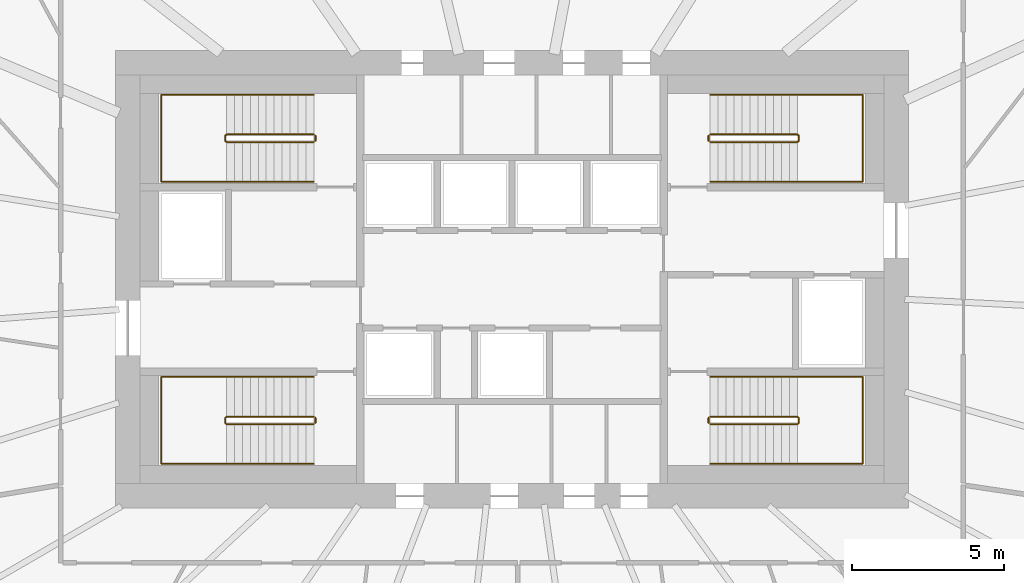
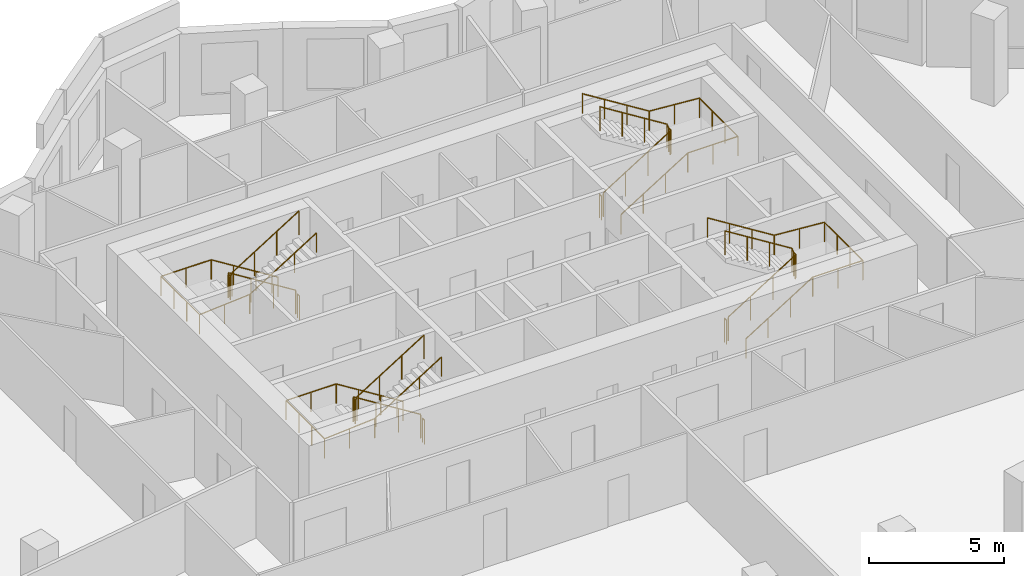
# One storey, part 9 of 9: 12 railings.
"""IFC4 building model written with IfcOpenShell, lengths in metres."""

import ifcopenshell
import ifcopenshell.guid

model = None  # the IFC model being written
_history = None  # IfcOwnerHistory: only IFC2X3 demands one
_inside = {}  # id of a spatial element -> (the spatial element, [elements in it])
_under = {}  # id of a project, library or spatial element -> (it, [spatial elements below it])
_declared = {}  # id of a project -> (the project, [libraries it declares])
_typed = {}  # id of a type object -> (the type object, [elements of that type])
_made_of = {}  # id of a material, layer set ... -> (it, [elements and type objects made of it])


def new_model(schema):
    """Start an empty IFC model of exactly this schema.

    Asked for "IFC4X3", IfcOpenShell would pick the latest addendum, in which some entities
    have other attributes; the version numbers below select the first issue.
    IFC2X3 requires an IfcOwnerHistory on every rooted entity: one is made here for all.
    """
    global model, _history
    if schema == "IFC4X3":
        model = ifcopenshell.file(schema_version=(4, 3, 0, 0))
    else:
        model = ifcopenshell.file(schema=schema)
    _inside.clear()
    _under.clear()
    _declared.clear()
    _typed.clear()
    _made_of.clear()
    _history = None
    if model.schema == "IFC2X3":
        org = make("IfcOrganization", Name="unknown")
        user = make(
            "IfcPersonAndOrganization",
            ThePerson=make("IfcPerson", FamilyName="unknown"),
            TheOrganization=org,
        )
        app = make(
            "IfcApplication",
            ApplicationDeveloper=org,
            Version="unknown",
            ApplicationFullName="unknown",
            ApplicationIdentifier="unknown",
        )
        _history = make(
            "IfcOwnerHistory",
            OwningUser=user,
            OwningApplication=app,
            ChangeAction="ADDED",
            CreationDate=0,
        )
    return model


def make(cls, **values):
    """One entity of the class cls with the attributes given. An attribute that is None is left unset."""
    return model.create_entity(
        cls, **{name: value for name, value in values.items() if value is not None}
    )


def rooted(cls, **values):
    """An entity with a GlobalId (a new one), such as an element, a storey or a relation."""
    return make(cls, GlobalId=ifcopenshell.guid.new(), OwnerHistory=_history, **values)


def si_unit(unit_type, name, prefix=None):
    """IfcSIUnit, for example si_unit("LENGTHUNIT", "METRE", prefix="MILLI")."""
    return make("IfcSIUnit", UnitType=unit_type, Prefix=prefix, Name=name)


def assignment(units):
    """IfcUnitAssignment: the units of a project."""
    return None if units is None else make("IfcUnitAssignment", Units=units)


def point(xyz):
    """IfcCartesianPoint."""
    return None if xyz is None else make("IfcCartesianPoint", Coordinates=xyz)


def direction(xyz):
    """IfcDirection."""
    return None if xyz is None else make("IfcDirection", DirectionRatios=xyz)


def frame(location, z_axis=None, x_axis=None):
    """IfcAxis2Placement3D, a coordinate frame: its origin and axes. An axis left out is left unset."""
    return make(
        "IfcAxis2Placement3D",
        Location=point(location),
        Axis=direction(z_axis),
        RefDirection=direction(x_axis),
    )


def frame_2d(location, x_axis=None):
    """IfcAxis2Placement2D, a coordinate frame in the plane: its origin and x axis."""
    return make(
        "IfcAxis2Placement2D", Location=point(location), RefDirection=direction(x_axis)
    )


def origin():
    """The frame at (0, 0, 0) with its axes left unset."""
    return frame((0.0, 0.0, 0.0))


def origin_2d():
    """The frame at (0, 0) in the plane with its x axis left unset."""
    return frame_2d((0.0, 0.0))


def place(relative_to, where):
    """IfcLocalPlacement: puts the frame where relative to a parent placement (None: the world)."""
    return make(
        "IfcLocalPlacement", PlacementRelTo=relative_to, RelativePlacement=where
    )


def context(
    kind, dimensions, precision=None, world=None, true_north=None, identifier=None
):
    """IfcGeometricRepresentationContext, for example the 3D "Model" context."""
    return make(
        "IfcGeometricRepresentationContext",
        ContextIdentifier=identifier,
        ContextType=kind,
        CoordinateSpaceDimension=dimensions,
        Precision=precision,
        WorldCoordinateSystem=world,
        TrueNorth=true_north,
    )


def subcontext(parent, identifier, kind, view, scale=None):
    """IfcGeometricRepresentationSubContext, for example "Body" below "Model"."""
    return make(
        "IfcGeometricRepresentationSubContext",
        ContextIdentifier=identifier,
        ContextType=kind,
        ParentContext=parent,
        TargetScale=scale,
        TargetView=view,
    )


def project(units=None, contexts=None):
    """IfcProject with its units and contexts."""
    return rooted(
        "IfcProject",
        Name="project",
        RepresentationContexts=contexts,
        UnitsInContext=assignment(units),
    )


def spatial(cls, under=None, at=None, **own):
    """A site, building, storey or space (cls), placed at a placement, below another one or the project."""
    s = rooted(cls, ObjectPlacement=at, **own)
    if under is not None:
        _under.setdefault(under.id(), (under, []))[1].append(s)
    return s


def profile(cls, at=None, kind="AREA", **sizes):
    """A parametric profile (cls). Its sizes go by their IFC names, for example OverallWidth=200.0."""
    return make(cls, ProfileType=kind, Position=at, **sizes)


def circle(**sizes):
    """IfcCircleProfileDef."""
    return profile("IfcCircleProfileDef", **sizes)


def extrude(swept, where, along, depth):
    """IfcExtrudedAreaSolid: the profile swept, set in the frame where, extruded along a direction by depth."""
    return make(
        "IfcExtrudedAreaSolid",
        SweptArea=swept,
        Position=where,
        ExtrudedDirection=direction(along),
        Depth=depth,
    )


def shape(context_of_items, identifier, shape_type, items):
    """IfcShapeRepresentation: the items that make up one representation, for example the "Body"."""
    return make(
        "IfcShapeRepresentation",
        ContextOfItems=context_of_items,
        RepresentationIdentifier=identifier,
        RepresentationType=shape_type,
        Items=items,
    )


def material(Name=None, Category=None):
    """IfcMaterial."""
    return make("IfcMaterial", Name=Name, Category=Category)


def made_of(thing, what):
    """Note that an element or type object is made of a material, layer set ...; save() writes the relation."""
    if what is not None:
        _made_of.setdefault(what.id(), (what, []))[1].append(thing)
    return thing


def type_object(cls, material=None, **own):
    """A type object (cls), such as IfcWallType, which elements share."""
    return made_of(rooted(cls, **own), material)


def element(
    cls,
    number,
    at=None,
    inside=None,
    cuts=None,
    type_object=None,
    material=None,
    context=None,
    identifier="Body",
    shape_type=None,
    held_by="IfcProductDefinitionShape",
    body=None,
    shapes=None,
    **own,
):
    """One element of the class cls, such as IfcWall. Its Tag is "e" and its number.

    at: its placement. inside: the storey or other place that contains it. cuts: it is an
    opening in that element (IfcRelVoidsElement). A single representation is given by context,
    identifier, shape_type and body (its items); several are given by shapes. held_by: the class
    of the entity that holds the representations. save() writes the other relations.
    """
    e = rooted(cls, Tag="e%d" % number, ObjectPlacement=at, **own)
    if body is not None:
        shapes = [shape(context, identifier, shape_type, body)]
    if shapes is not None:
        e.Representation = make(held_by, Representations=shapes)
    if inside is not None:
        _inside.setdefault(inside.id(), (inside, []))[1].append(e)
    if cuts is not None:
        rooted(
            "IfcRelVoidsElement", RelatingBuildingElement=cuts, RelatedOpeningElement=e
        )
    if type_object is not None:
        _typed.setdefault(type_object.id(), (type_object, []))[1].append(e)
    return made_of(e, material)


def aggregate(whole, parts):
    """IfcRelAggregates: a whole, such as a stair, and the parts it consists of."""
    return rooted("IfcRelAggregates", RelatingObject=whole, RelatedObjects=parts)


def save(model, path):
    """Write the relations noted so far, then the file.

    IfcRelAggregates (storeys below a building ...), IfcRelContainedInSpatialStructure (elements
    in a storey), IfcRelDefinesByType, IfcRelAssociatesMaterial and IfcRelDeclares: one each for
    every whole, place, type object, material and project.
    """
    for whole, parts in _under.values():
        aggregate(whole, parts)
    for where, things in _inside.values():
        rooted(
            "IfcRelContainedInSpatialStructure",
            RelatedElements=things,
            RelatingStructure=where,
        )
    for kind, things in _typed.values():
        rooted("IfcRelDefinesByType", RelatedObjects=things, RelatingType=kind)
    for what, things in _made_of.values():
        rooted("IfcRelAssociatesMaterial", RelatedObjects=things, RelatingMaterial=what)
    for by, libraries in _declared.values():
        rooted("IfcRelDeclares", RelatingContext=by, RelatedDefinitions=libraries)
    model.write(path)


model = new_model("IFC4")

# Units and contexts
model_context = context("Model", 3, precision=1e-05, world=origin(), true_north=direction((0.0, 1.0)))
body_context = subcontext(model_context, "Body", "Model", "MODEL_VIEW")
ifc_project = project(units=[si_unit("LENGTHUNIT", "METRE"), si_unit("AREAUNIT", "SQUARE_METRE"), si_unit("VOLUMEUNIT", "CUBIC_METRE"), si_unit("PLANEANGLEUNIT", "RADIAN"), si_unit("MASSUNIT", "GRAM", prefix="KILO")], contexts=[model_context])

# Site, building, storey
site_placement = place(None, origin())
site = spatial("IfcSite", under=ifc_project, at=site_placement, CompositionType="ELEMENT")
building_placement = place(site_placement, origin())
building = spatial("IfcBuilding", under=site, at=building_placement, Name="Rubra Terraces Tower", CompositionType="ELEMENT")
storey_placement = place(building_placement, frame((0.0, 0.0, 225.300048828125)))
storey = spatial("IfcBuildingStorey", under=building, at=storey_placement, Name="L55", CompositionType="ELEMENT", Elevation=225.300048828125)

# Railings
ifc_material = material(Name="Stainless steel", Category="steel")
railing_type_1 = type_object("IfcRailingType", Name="Core stair guard 1100", PredefinedType="GUARDRAIL", material=ifc_material)
railing_1_placement = place(storey_placement, frame((-6.5, 0.0, 0.162353515625)))
element("IfcRailing", 1, at=railing_1_placement, inside=storey, type_object=railing_type_1, Name="L55 stair S1 guard 1", PredefinedType="GUARDRAIL", context=body_context, shape_type="SweptSolid", body=[
    extrude(circle(Radius=0.02392578125, at=origin_2d()), frame((0.0, 0.0, 1.076171875), z_axis=(-0.847994237388, 0.0, 0.530005446535), x_axis=(0.0, -1.0, 0.0)), (0.0, 0.0, 1.0), 3.372802734375),
    extrude(circle(Radius=0.02392578125, at=origin_2d()), frame((-2.860107421875, 0.0, 2.86376953125), z_axis=(-0.705375805398, -0.708833529934, 0.0), x_axis=(0.708833529934, -0.705375805398, 0.0)), (0.0, 0.0, 1.0), 0.070556640625),
    extrude(circle(Radius=0.02392578125, at=origin_2d()), frame((-2.909912109375, -0.050048828125, 2.86376953125), z_axis=(0.0, -1.0, 0.0), x_axis=(1.0, 0.0, 0.0)), (0.0, 0.0, 1.0), 0.14990234375),
    extrude(circle(Radius=0.02392578125, at=origin_2d()), frame((-2.909912109375, -0.199951171875, 2.86376953125), z_axis=(0.280959487676, -0.282336740067, 0.917250092119), x_axis=(0.708833529934, 0.705375805398, 0.0)), (0.0, 0.0, 1.0), 0.17724609375),
    extrude(circle(Radius=0.02392578125, at=origin_2d()), frame((-2.860107421875, -0.25, 3.0263671875), z_axis=(0.848026770018, 0.0, 0.529953391661), x_axis=(0.0, 1.0, 0.0)), (0.0, 0.0, 1.0), 3.37255859375),
    extrude(circle(Radius=0.02099609375, at=origin_2d()), origin(), (0.0, 0.0, 1.0), 1.052001953125),
    extrude(circle(Radius=0.02099609375, at=origin_2d()), frame((-0.953369140625, 0.0, 0.595947265625)), (0.0, 0.0, 1.0), 1.052001953125),
    extrude(circle(Radius=0.02099609375, at=origin_2d()), frame((-1.90673828125, 0.0, 1.191650390625)), (0.0, 0.0, 1.0), 1.052001953125),
    extrude(circle(Radius=0.02099609375, at=origin_2d()), frame((-2.860107421875, 0.0, 1.78759765625)), (0.0, 0.0, 1.0), 1.052001953125),
    extrude(circle(Radius=0.02099609375, at=origin_2d()), frame((-2.909912109375, -0.050048828125, 1.78759765625)), (0.0, 0.0, 1.0), 1.052001953125),
    extrude(circle(Radius=0.02099609375, at=origin_2d()), frame((-2.909912109375, -0.199951171875, 1.78759765625)), (0.0, 0.0, 1.0), 1.052001953125),
    extrude(circle(Radius=0.02099609375, at=origin_2d()), frame((-2.860107421875, -0.25, 1.9501953125)), (0.0, 0.0, 1.0), 1.052001953125),
    extrude(circle(Radius=0.02099609375, at=origin_2d()), frame((-1.90673828125, -0.25, 2.5458984375)), (0.0, 0.0, 1.0), 1.052001953125),
    extrude(circle(Radius=0.02099609375, at=origin_2d()), frame((-0.953369140625, -0.25, 3.141845703125)), (0.0, 0.0, 1.0), 1.052001953125),
    extrude(circle(Radius=0.02099609375, at=origin_2d()), frame((0.0, -0.25, 3.737548828125)), (0.0, 0.0, 1.0), 1.052001953125),
])
railing_2_placement = place(storey_placement, frame((-6.449951171875, -0.050048828125, 0.0)))
element("IfcRailing", 2, at=railing_2_placement, inside=storey, type_object=railing_type_1, Name="L55 stair S1 guard 2", PredefinedType="GUARDRAIL", context=body_context, shape_type="SweptSolid", body=[
    extrude(circle(Radius=0.02392578125, at=origin_2d()), frame((0.0, 0.0, 1.076171875), z_axis=(0.0, -1.0, 0.0), x_axis=(1.0, 0.0, 0.0)), (0.0, 0.0, 1.0), 0.14990234375),
    extrude(circle(Radius=0.02099609375, at=origin_2d()), origin(), (0.0, 0.0, 1.0), 1.052001953125),
    extrude(circle(Radius=0.02099609375, at=origin_2d()), frame((0.0, -0.14990234375, 0.0)), (0.0, 0.0, 1.0), 1.052001953125),
])
railing_3_placement = place(storey_placement, frame((-6.5, 9.25, 0.162353515625)))
element("IfcRailing", 3, at=railing_3_placement, inside=storey, type_object=railing_type_1, Name="L55 stair S2 guard 1", PredefinedType="GUARDRAIL", context=body_context, shape_type="SweptSolid", body=[
    extrude(circle(Radius=0.02392578125, at=origin_2d()), frame((0.0, 0.0, 1.076171875), z_axis=(-0.847994237388, 0.0, 0.530005446535), x_axis=(0.0, -1.0, 0.0)), (0.0, 0.0, 1.0), 3.372802734375),
    extrude(circle(Radius=0.02392578125, at=origin_2d()), frame((-2.860107421875, 0.0, 2.86376953125), z_axis=(-0.705375805398, -0.708833529934, 0.0), x_axis=(0.708833529934, -0.705375805398, 0.0)), (0.0, 0.0, 1.0), 0.070556640625),
    extrude(circle(Radius=0.02392578125, at=origin_2d()), frame((-2.909912109375, -0.050048828125, 2.86376953125), z_axis=(0.0, -1.0, 0.0), x_axis=(1.0, 0.0, 0.0)), (0.0, 0.0, 1.0), 0.14990234375),
    extrude(circle(Radius=0.02392578125, at=origin_2d()), frame((-2.909912109375, -0.199951171875, 2.86376953125), z_axis=(0.280959487676, -0.282336740067, 0.917250092119), x_axis=(0.708833529934, 0.705375805398, 0.0)), (0.0, 0.0, 1.0), 0.17724609375),
    extrude(circle(Radius=0.02392578125, at=origin_2d()), frame((-2.860107421875, -0.25, 3.0263671875), z_axis=(0.848026770018, 0.0, 0.529953391661), x_axis=(0.0, 1.0, 0.0)), (0.0, 0.0, 1.0), 3.37255859375),
    extrude(circle(Radius=0.02099609375, at=origin_2d()), origin(), (0.0, 0.0, 1.0), 1.052001953125),
    extrude(circle(Radius=0.02099609375, at=origin_2d()), frame((-0.953369140625, 0.0, 0.595947265625)), (0.0, 0.0, 1.0), 1.052001953125),
    extrude(circle(Radius=0.02099609375, at=origin_2d()), frame((-1.90673828125, 0.0, 1.191650390625)), (0.0, 0.0, 1.0), 1.052001953125),
    extrude(circle(Radius=0.02099609375, at=origin_2d()), frame((-2.860107421875, 0.0, 1.78759765625)), (0.0, 0.0, 1.0), 1.052001953125),
    extrude(circle(Radius=0.02099609375, at=origin_2d()), frame((-2.909912109375, -0.050048828125, 1.78759765625)), (0.0, 0.0, 1.0), 1.052001953125),
    extrude(circle(Radius=0.02099609375, at=origin_2d()), frame((-2.909912109375, -0.199951171875, 1.78759765625)), (0.0, 0.0, 1.0), 1.052001953125),
    extrude(circle(Radius=0.02099609375, at=origin_2d()), frame((-2.860107421875, -0.25, 1.9501953125)), (0.0, 0.0, 1.0), 1.052001953125),
    extrude(circle(Radius=0.02099609375, at=origin_2d()), frame((-1.90673828125, -0.25, 2.5458984375)), (0.0, 0.0, 1.0), 1.052001953125),
    extrude(circle(Radius=0.02099609375, at=origin_2d()), frame((-0.953369140625, -0.25, 3.141845703125)), (0.0, 0.0, 1.0), 1.052001953125),
    extrude(circle(Radius=0.02099609375, at=origin_2d()), frame((0.0, -0.25, 3.737548828125)), (0.0, 0.0, 1.0), 1.052001953125),
])
railing_4_placement = place(storey_placement, frame((-6.449951171875, 9.199951171875, 0.0)))
element("IfcRailing", 4, at=railing_4_placement, inside=storey, type_object=railing_type_1, Name="L55 stair S2 guard 2", PredefinedType="GUARDRAIL", context=body_context, shape_type="SweptSolid", body=[
    extrude(circle(Radius=0.02392578125, at=origin_2d()), frame((0.0, 0.0, 1.076171875), z_axis=(0.0, -1.0, 0.0), x_axis=(1.0, 0.0, 0.0)), (0.0, 0.0, 1.0), 0.14990234375),
    extrude(circle(Radius=0.02099609375, at=origin_2d()), origin(), (0.0, 0.0, 1.0), 1.052001953125),
    extrude(circle(Radius=0.02099609375, at=origin_2d()), frame((0.0, -0.14990234375, 0.0)), (0.0, 0.0, 1.0), 1.052001953125),
])
railing_5_placement = place(storey_placement, frame((6.5, 9.0, 0.162353515625)))
element("IfcRailing", 5, at=railing_5_placement, inside=storey, type_object=railing_type_1, Name="L55 stair S3 guard 1", PredefinedType="GUARDRAIL", context=body_context, shape_type="SweptSolid", body=[
    extrude(circle(Radius=0.02392578125, at=origin_2d()), frame((0.0, 0.0, 1.076171875), z_axis=(0.847994237388, 0.0, 0.530005446535), x_axis=(0.0, 1.0, 0.0)), (0.0, 0.0, 1.0), 3.372802734375),
    extrude(circle(Radius=0.02392578125, at=origin_2d()), frame((2.860107421875, 0.0, 2.86376953125), z_axis=(0.705375805398, 0.708833529934, 0.0), x_axis=(-0.708833529934, 0.705375805398, 0.0)), (0.0, 0.0, 1.0), 0.070556640625),
    extrude(circle(Radius=0.02392578125, at=origin_2d()), frame((2.909912109375, 0.050048828125, 2.86376953125), z_axis=(0.0, 1.0, 0.0), x_axis=(-1.0, 0.0, 0.0)), (0.0, 0.0, 1.0), 0.14990234375),
    extrude(circle(Radius=0.02392578125, at=origin_2d()), frame((2.909912109375, 0.199951171875, 2.86376953125), z_axis=(-0.280959487676, 0.282336740067, 0.917250092119), x_axis=(-0.708833529934, -0.705375805398, 0.0)), (0.0, 0.0, 1.0), 0.17724609375),
    extrude(circle(Radius=0.02392578125, at=origin_2d()), frame((2.860107421875, 0.25, 3.0263671875), z_axis=(-0.848026770018, 0.0, 0.529953391661), x_axis=(0.0, -1.0, 0.0)), (0.0, 0.0, 1.0), 3.37255859375),
    extrude(circle(Radius=0.02099609375, at=origin_2d()), origin(), (0.0, 0.0, 1.0), 1.052001953125),
    extrude(circle(Radius=0.02099609375, at=origin_2d()), frame((0.953369140625, 0.0, 0.595947265625)), (0.0, 0.0, 1.0), 1.052001953125),
    extrude(circle(Radius=0.02099609375, at=origin_2d()), frame((1.90673828125, 0.0, 1.191650390625)), (0.0, 0.0, 1.0), 1.052001953125),
    extrude(circle(Radius=0.02099609375, at=origin_2d()), frame((2.860107421875, 0.0, 1.78759765625)), (0.0, 0.0, 1.0), 1.052001953125),
    extrude(circle(Radius=0.02099609375, at=origin_2d()), frame((2.909912109375, 0.050048828125, 1.78759765625)), (0.0, 0.0, 1.0), 1.052001953125),
    extrude(circle(Radius=0.02099609375, at=origin_2d()), frame((2.909912109375, 0.199951171875, 1.78759765625)), (0.0, 0.0, 1.0), 1.052001953125),
    extrude(circle(Radius=0.02099609375, at=origin_2d()), frame((2.860107421875, 0.25, 1.9501953125)), (0.0, 0.0, 1.0), 1.052001953125),
    extrude(circle(Radius=0.02099609375, at=origin_2d()), frame((1.90673828125, 0.25, 2.5458984375)), (0.0, 0.0, 1.0), 1.052001953125),
    extrude(circle(Radius=0.02099609375, at=origin_2d()), frame((0.953369140625, 0.25, 3.141845703125)), (0.0, 0.0, 1.0), 1.052001953125),
    extrude(circle(Radius=0.02099609375, at=origin_2d()), frame((0.0, 0.25, 3.737548828125)), (0.0, 0.0, 1.0), 1.052001953125),
])
railing_6_placement = place(storey_placement, frame((6.449951171875, 9.050048828125, 0.0)))
element("IfcRailing", 6, at=railing_6_placement, inside=storey, type_object=railing_type_1, Name="L55 stair S3 guard 2", PredefinedType="GUARDRAIL", context=body_context, shape_type="SweptSolid", body=[
    extrude(circle(Radius=0.02392578125, at=origin_2d()), frame((0.0, 0.0, 1.076171875), z_axis=(0.0, 1.0, 0.0), x_axis=(-1.0, 0.0, 0.0)), (0.0, 0.0, 1.0), 0.14990234375),
    extrude(circle(Radius=0.02099609375, at=origin_2d()), origin(), (0.0, 0.0, 1.0), 1.052001953125),
    extrude(circle(Radius=0.02099609375, at=origin_2d()), frame((0.0, 0.14990234375, 0.0)), (0.0, 0.0, 1.0), 1.052001953125),
])
railing_7_placement = place(storey_placement, frame((6.5, -0.25, 0.162353515625)))
element("IfcRailing", 7, at=railing_7_placement, inside=storey, type_object=railing_type_1, Name="L55 stair S4 guard 1", PredefinedType="GUARDRAIL", context=body_context, shape_type="SweptSolid", body=[
    extrude(circle(Radius=0.02392578125, at=origin_2d()), frame((0.0, 0.0, 1.076171875), z_axis=(0.847994237388, 0.0, 0.530005446535), x_axis=(0.0, 1.0, 0.0)), (0.0, 0.0, 1.0), 3.372802734375),
    extrude(circle(Radius=0.02392578125, at=origin_2d()), frame((2.860107421875, 0.0, 2.86376953125), z_axis=(0.705375805398, 0.708833529934, 0.0), x_axis=(-0.708833529934, 0.705375805398, 0.0)), (0.0, 0.0, 1.0), 0.070556640625),
    extrude(circle(Radius=0.02392578125, at=origin_2d()), frame((2.909912109375, 0.050048828125, 2.86376953125), z_axis=(0.0, 1.0, 0.0), x_axis=(-1.0, 0.0, 0.0)), (0.0, 0.0, 1.0), 0.14990234375),
    extrude(circle(Radius=0.02392578125, at=origin_2d()), frame((2.909912109375, 0.199951171875, 2.86376953125), z_axis=(-0.280959487676, 0.282336740067, 0.917250092119), x_axis=(-0.708833529934, -0.705375805398, 0.0)), (0.0, 0.0, 1.0), 0.17724609375),
    extrude(circle(Radius=0.02392578125, at=origin_2d()), frame((2.860107421875, 0.25, 3.0263671875), z_axis=(-0.848026770018, 0.0, 0.529953391661), x_axis=(0.0, -1.0, 0.0)), (0.0, 0.0, 1.0), 3.37255859375),
    extrude(circle(Radius=0.02099609375, at=origin_2d()), origin(), (0.0, 0.0, 1.0), 1.052001953125),
    extrude(circle(Radius=0.02099609375, at=origin_2d()), frame((0.953369140625, 0.0, 0.595947265625)), (0.0, 0.0, 1.0), 1.052001953125),
    extrude(circle(Radius=0.02099609375, at=origin_2d()), frame((1.90673828125, 0.0, 1.191650390625)), (0.0, 0.0, 1.0), 1.052001953125),
    extrude(circle(Radius=0.02099609375, at=origin_2d()), frame((2.860107421875, 0.0, 1.78759765625)), (0.0, 0.0, 1.0), 1.052001953125),
    extrude(circle(Radius=0.02099609375, at=origin_2d()), frame((2.909912109375, 0.050048828125, 1.78759765625)), (0.0, 0.0, 1.0), 1.052001953125),
    extrude(circle(Radius=0.02099609375, at=origin_2d()), frame((2.909912109375, 0.199951171875, 1.78759765625)), (0.0, 0.0, 1.0), 1.052001953125),
    extrude(circle(Radius=0.02099609375, at=origin_2d()), frame((2.860107421875, 0.25, 1.9501953125)), (0.0, 0.0, 1.0), 1.052001953125),
    extrude(circle(Radius=0.02099609375, at=origin_2d()), frame((1.90673828125, 0.25, 2.5458984375)), (0.0, 0.0, 1.0), 1.052001953125),
    extrude(circle(Radius=0.02099609375, at=origin_2d()), frame((0.953369140625, 0.25, 3.141845703125)), (0.0, 0.0, 1.0), 1.052001953125),
    extrude(circle(Radius=0.02099609375, at=origin_2d()), frame((0.0, 0.25, 3.737548828125)), (0.0, 0.0, 1.0), 1.052001953125),
])
railing_8_placement = place(storey_placement, frame((6.449951171875, -0.199951171875, 0.0)))
element("IfcRailing", 8, at=railing_8_placement, inside=storey, type_object=railing_type_1, Name="L55 stair S4 guard 2", PredefinedType="GUARDRAIL", context=body_context, shape_type="SweptSolid", body=[
    extrude(circle(Radius=0.02392578125, at=origin_2d()), frame((0.0, 0.0, 1.076171875), z_axis=(0.0, 1.0, 0.0), x_axis=(-1.0, 0.0, 0.0)), (0.0, 0.0, 1.0), 0.14990234375),
    extrude(circle(Radius=0.02099609375, at=origin_2d()), origin(), (0.0, 0.0, 1.0), 1.052001953125),
    extrude(circle(Radius=0.02099609375, at=origin_2d()), frame((0.0, 0.14990234375, 0.0)), (0.0, 0.0, 1.0), 1.052001953125),
])
railing_type_2 = type_object("IfcRailingType", Name="Core stair handrail 900", PredefinedType="HANDRAIL", material=ifc_material)
railing_9_placement = place(storey_placement, frame((-6.5, 1.300048828125, 0.162353515625)))
element("IfcRailing", 9, at=railing_9_placement, inside=storey, type_object=railing_type_2, Name="L55 stair S1 handrail 1", PredefinedType="HANDRAIL", context=body_context, shape_type="SweptSolid", body=[
    extrude(circle(Radius=0.02392578125, at=origin_2d()), frame((0.0, 0.0, 0.8759765625), z_axis=(-0.847994237388, 0.0, 0.530005446535), x_axis=(0.0, -1.0, 0.0)), (0.0, 0.0, 1.0), 3.372802734375),
    extrude(circle(Radius=0.02392578125, at=origin_2d()), frame((-2.860107421875, 0.0, 2.66357421875), z_axis=(-1.0, 0.0, 0.0), x_axis=(0.0, -1.0, 0.0)), (0.0, 0.0, 1.0), 2.139892578125),
    extrude(circle(Radius=0.02392578125, at=origin_2d()), frame((-5.0, 0.0, 2.66357421875), z_axis=(0.0, -1.0, 0.0), x_axis=(1.0, 0.0, 0.0)), (0.0, 0.0, 1.0), 2.85009765625),
    extrude(circle(Radius=0.02392578125, at=origin_2d()), frame((-5.0, -2.85009765625, 2.66357421875), z_axis=(0.997125654253, 0.0, 0.075765623016), x_axis=(0.0, 1.0, 0.0)), (0.0, 0.0, 1.0), 2.14599609375),
    extrude(circle(Radius=0.02392578125, at=origin_2d()), frame((-2.860107421875, -2.85009765625, 2.826171875), z_axis=(0.848026770018, 0.0, 0.529953391661), x_axis=(0.0, 1.0, 0.0)), (0.0, 0.0, 1.0), 3.37255859375),
    extrude(circle(Radius=0.02099609375, at=origin_2d()), origin(), (0.0, 0.0, 1.0), 0.851806640625),
    extrude(circle(Radius=0.02099609375, at=origin_2d()), frame((-0.953369140625, 0.0, 0.595947265625)), (0.0, 0.0, 1.0), 0.851806640625),
    extrude(circle(Radius=0.02099609375, at=origin_2d()), frame((-1.90673828125, 0.0, 1.191650390625)), (0.0, 0.0, 1.0), 0.851806640625),
    extrude(circle(Radius=0.02099609375, at=origin_2d()), frame((-2.860107421875, 0.0, 1.78759765625)), (0.0, 0.0, 1.0), 0.851806640625),
    extrude(circle(Radius=0.02099609375, at=origin_2d()), frame((-3.93017578125, 0.0, 1.78759765625)), (0.0, 0.0, 1.0), 0.851806640625),
    extrude(circle(Radius=0.02099609375, at=origin_2d()), frame((-5.0, 0.0, 1.78759765625)), (0.0, 0.0, 1.0), 0.851806640625),
    extrude(circle(Radius=0.02099609375, at=origin_2d()), frame((-5.0, -0.949951171875, 1.78759765625)), (0.0, 0.0, 1.0), 0.851806640625),
    extrude(circle(Radius=0.02099609375, at=origin_2d()), frame((-5.0, -1.900146484375, 1.78759765625)), (0.0, 0.0, 1.0), 0.851806640625),
    extrude(circle(Radius=0.02099609375, at=origin_2d()), frame((-5.0, -2.85009765625, 1.78759765625)), (0.0, 0.0, 1.0), 0.851806640625),
    extrude(circle(Radius=0.02099609375, at=origin_2d()), frame((-3.93017578125, -2.85009765625, 1.868896484375)), (0.0, 0.0, 1.0), 0.851806640625),
    extrude(circle(Radius=0.02099609375, at=origin_2d()), frame((-2.860107421875, -2.85009765625, 1.9501953125)), (0.0, 0.0, 1.0), 0.851806640625),
    extrude(circle(Radius=0.02099609375, at=origin_2d()), frame((-1.90673828125, -2.85009765625, 2.5458984375)), (0.0, 0.0, 1.0), 0.851806640625),
    extrude(circle(Radius=0.02099609375, at=origin_2d()), frame((-0.953369140625, -2.85009765625, 3.141845703125)), (0.0, 0.0, 1.0), 0.851806640625),
    extrude(circle(Radius=0.02099609375, at=origin_2d()), frame((0.0, -2.85009765625, 3.737548828125)), (0.0, 0.0, 1.0), 0.851806640625),
])
railing_10_placement = place(storey_placement, frame((-6.5, 10.550048828125, 0.162353515625)))
element("IfcRailing", 10, at=railing_10_placement, inside=storey, type_object=railing_type_2, Name="L55 stair S2 handrail 1", PredefinedType="HANDRAIL", context=body_context, shape_type="SweptSolid", body=[
    extrude(circle(Radius=0.02392578125, at=origin_2d()), frame((0.0, 0.0, 0.8759765625), z_axis=(-0.847994237388, 0.0, 0.530005446535), x_axis=(0.0, -1.0, 0.0)), (0.0, 0.0, 1.0), 3.372802734375),
    extrude(circle(Radius=0.02392578125, at=origin_2d()), frame((-2.860107421875, 0.0, 2.66357421875), z_axis=(-1.0, 0.0, 0.0), x_axis=(0.0, -1.0, 0.0)), (0.0, 0.0, 1.0), 2.139892578125),
    extrude(circle(Radius=0.02392578125, at=origin_2d()), frame((-5.0, 0.0, 2.66357421875), z_axis=(0.0, -1.0, 0.0), x_axis=(1.0, 0.0, 0.0)), (0.0, 0.0, 1.0), 2.85009765625),
    extrude(circle(Radius=0.02392578125, at=origin_2d()), frame((-5.0, -2.85009765625, 2.66357421875), z_axis=(0.997125654253, 0.0, 0.075765623016), x_axis=(0.0, 1.0, 0.0)), (0.0, 0.0, 1.0), 2.14599609375),
    extrude(circle(Radius=0.02392578125, at=origin_2d()), frame((-2.860107421875, -2.85009765625, 2.826171875), z_axis=(0.848026770018, 0.0, 0.529953391661), x_axis=(0.0, 1.0, 0.0)), (0.0, 0.0, 1.0), 3.37255859375),
    extrude(circle(Radius=0.02099609375, at=origin_2d()), origin(), (0.0, 0.0, 1.0), 0.851806640625),
    extrude(circle(Radius=0.02099609375, at=origin_2d()), frame((-0.953369140625, 0.0, 0.595947265625)), (0.0, 0.0, 1.0), 0.851806640625),
    extrude(circle(Radius=0.02099609375, at=origin_2d()), frame((-1.90673828125, 0.0, 1.191650390625)), (0.0, 0.0, 1.0), 0.851806640625),
    extrude(circle(Radius=0.02099609375, at=origin_2d()), frame((-2.860107421875, 0.0, 1.78759765625)), (0.0, 0.0, 1.0), 0.851806640625),
    extrude(circle(Radius=0.02099609375, at=origin_2d()), frame((-3.93017578125, 0.0, 1.78759765625)), (0.0, 0.0, 1.0), 0.851806640625),
    extrude(circle(Radius=0.02099609375, at=origin_2d()), frame((-5.0, 0.0, 1.78759765625)), (0.0, 0.0, 1.0), 0.851806640625),
    extrude(circle(Radius=0.02099609375, at=origin_2d()), frame((-5.0, -0.949951171875, 1.78759765625)), (0.0, 0.0, 1.0), 0.851806640625),
    extrude(circle(Radius=0.02099609375, at=origin_2d()), frame((-5.0, -1.900146484375, 1.78759765625)), (0.0, 0.0, 1.0), 0.851806640625),
    extrude(circle(Radius=0.02099609375, at=origin_2d()), frame((-5.0, -2.85009765625, 1.78759765625)), (0.0, 0.0, 1.0), 0.851806640625),
    extrude(circle(Radius=0.02099609375, at=origin_2d()), frame((-3.93017578125, -2.85009765625, 1.868896484375)), (0.0, 0.0, 1.0), 0.851806640625),
    extrude(circle(Radius=0.02099609375, at=origin_2d()), frame((-2.860107421875, -2.85009765625, 1.9501953125)), (0.0, 0.0, 1.0), 0.851806640625),
    extrude(circle(Radius=0.02099609375, at=origin_2d()), frame((-1.90673828125, -2.85009765625, 2.5458984375)), (0.0, 0.0, 1.0), 0.851806640625),
    extrude(circle(Radius=0.02099609375, at=origin_2d()), frame((-0.953369140625, -2.85009765625, 3.141845703125)), (0.0, 0.0, 1.0), 0.851806640625),
    extrude(circle(Radius=0.02099609375, at=origin_2d()), frame((0.0, -2.85009765625, 3.737548828125)), (0.0, 0.0, 1.0), 0.851806640625),
])
railing_11_placement = place(storey_placement, frame((6.5, 7.699951171875, 0.162353515625)))
element("IfcRailing", 11, at=railing_11_placement, inside=storey, type_object=railing_type_2, Name="L55 stair S3 handrail 1", PredefinedType="HANDRAIL", context=body_context, shape_type="SweptSolid", body=[
    extrude(circle(Radius=0.02392578125, at=origin_2d()), frame((0.0, 0.0, 0.8759765625), z_axis=(0.847994237388, 0.0, 0.530005446535), x_axis=(0.0, 1.0, 0.0)), (0.0, 0.0, 1.0), 3.372802734375),
    extrude(circle(Radius=0.02392578125, at=origin_2d()), frame((2.860107421875, 0.0, 2.66357421875), z_axis=(1.0, 0.0, 0.0), x_axis=(0.0, 1.0, 0.0)), (0.0, 0.0, 1.0), 2.139892578125),
    extrude(circle(Radius=0.02392578125, at=origin_2d()), frame((5.0, 0.0, 2.66357421875), z_axis=(0.0, 1.0, 0.0), x_axis=(-1.0, 0.0, 0.0)), (0.0, 0.0, 1.0), 2.85009765625),
    extrude(circle(Radius=0.02392578125, at=origin_2d()), frame((5.0, 2.85009765625, 2.66357421875), z_axis=(-0.997125654253, 0.0, 0.075765623016), x_axis=(0.0, -1.0, 0.0)), (0.0, 0.0, 1.0), 2.14599609375),
    extrude(circle(Radius=0.02392578125, at=origin_2d()), frame((2.860107421875, 2.85009765625, 2.826171875), z_axis=(-0.848026770018, 0.0, 0.529953391661), x_axis=(0.0, -1.0, 0.0)), (0.0, 0.0, 1.0), 3.37255859375),
    extrude(circle(Radius=0.02099609375, at=origin_2d()), origin(), (0.0, 0.0, 1.0), 0.851806640625),
    extrude(circle(Radius=0.02099609375, at=origin_2d()), frame((0.953369140625, 0.0, 0.595947265625)), (0.0, 0.0, 1.0), 0.851806640625),
    extrude(circle(Radius=0.02099609375, at=origin_2d()), frame((1.90673828125, 0.0, 1.191650390625)), (0.0, 0.0, 1.0), 0.851806640625),
    extrude(circle(Radius=0.02099609375, at=origin_2d()), frame((2.860107421875, 0.0, 1.78759765625)), (0.0, 0.0, 1.0), 0.851806640625),
    extrude(circle(Radius=0.02099609375, at=origin_2d()), frame((3.93017578125, 0.0, 1.78759765625)), (0.0, 0.0, 1.0), 0.851806640625),
    extrude(circle(Radius=0.02099609375, at=origin_2d()), frame((5.0, 0.0, 1.78759765625)), (0.0, 0.0, 1.0), 0.851806640625),
    extrude(circle(Radius=0.02099609375, at=origin_2d()), frame((5.0, 0.949951171875, 1.78759765625)), (0.0, 0.0, 1.0), 0.851806640625),
    extrude(circle(Radius=0.02099609375, at=origin_2d()), frame((5.0, 1.900146484375, 1.78759765625)), (0.0, 0.0, 1.0), 0.851806640625),
    extrude(circle(Radius=0.02099609375, at=origin_2d()), frame((5.0, 2.85009765625, 1.78759765625)), (0.0, 0.0, 1.0), 0.851806640625),
    extrude(circle(Radius=0.02099609375, at=origin_2d()), frame((3.93017578125, 2.85009765625, 1.868896484375)), (0.0, 0.0, 1.0), 0.851806640625),
    extrude(circle(Radius=0.02099609375, at=origin_2d()), frame((2.860107421875, 2.85009765625, 1.9501953125)), (0.0, 0.0, 1.0), 0.851806640625),
    extrude(circle(Radius=0.02099609375, at=origin_2d()), frame((1.90673828125, 2.85009765625, 2.5458984375)), (0.0, 0.0, 1.0), 0.851806640625),
    extrude(circle(Radius=0.02099609375, at=origin_2d()), frame((0.953369140625, 2.85009765625, 3.141845703125)), (0.0, 0.0, 1.0), 0.851806640625),
    extrude(circle(Radius=0.02099609375, at=origin_2d()), frame((0.0, 2.85009765625, 3.737548828125)), (0.0, 0.0, 1.0), 0.851806640625),
])
railing_12_placement = place(storey_placement, frame((6.5, -1.550048828125, 0.162353515625)))
element("IfcRailing", 12, at=railing_12_placement, inside=storey, type_object=railing_type_2, Name="L55 stair S4 handrail 1", PredefinedType="HANDRAIL", context=body_context, shape_type="SweptSolid", body=[
    extrude(circle(Radius=0.02392578125, at=origin_2d()), frame((0.0, 0.0, 0.8759765625), z_axis=(0.847994237388, 0.0, 0.530005446535), x_axis=(0.0, 1.0, 0.0)), (0.0, 0.0, 1.0), 3.372802734375),
    extrude(circle(Radius=0.02392578125, at=origin_2d()), frame((2.860107421875, 0.0, 2.66357421875), z_axis=(1.0, 0.0, 0.0), x_axis=(0.0, 1.0, 0.0)), (0.0, 0.0, 1.0), 2.139892578125),
    extrude(circle(Radius=0.02392578125, at=origin_2d()), frame((5.0, 0.0, 2.66357421875), z_axis=(0.0, 1.0, 0.0), x_axis=(-1.0, 0.0, 0.0)), (0.0, 0.0, 1.0), 2.85009765625),
    extrude(circle(Radius=0.02392578125, at=origin_2d()), frame((5.0, 2.85009765625, 2.66357421875), z_axis=(-0.997125654253, 0.0, 0.075765623016), x_axis=(0.0, -1.0, 0.0)), (0.0, 0.0, 1.0), 2.14599609375),
    extrude(circle(Radius=0.02392578125, at=origin_2d()), frame((2.860107421875, 2.85009765625, 2.826171875), z_axis=(-0.848026770018, 0.0, 0.529953391661), x_axis=(0.0, -1.0, 0.0)), (0.0, 0.0, 1.0), 3.37255859375),
    extrude(circle(Radius=0.02099609375, at=origin_2d()), origin(), (0.0, 0.0, 1.0), 0.851806640625),
    extrude(circle(Radius=0.02099609375, at=origin_2d()), frame((0.953369140625, 0.0, 0.595947265625)), (0.0, 0.0, 1.0), 0.851806640625),
    extrude(circle(Radius=0.02099609375, at=origin_2d()), frame((1.90673828125, 0.0, 1.191650390625)), (0.0, 0.0, 1.0), 0.851806640625),
    extrude(circle(Radius=0.02099609375, at=origin_2d()), frame((2.860107421875, 0.0, 1.78759765625)), (0.0, 0.0, 1.0), 0.851806640625),
    extrude(circle(Radius=0.02099609375, at=origin_2d()), frame((3.93017578125, 0.0, 1.78759765625)), (0.0, 0.0, 1.0), 0.851806640625),
    extrude(circle(Radius=0.02099609375, at=origin_2d()), frame((5.0, 0.0, 1.78759765625)), (0.0, 0.0, 1.0), 0.851806640625),
    extrude(circle(Radius=0.02099609375, at=origin_2d()), frame((5.0, 0.949951171875, 1.78759765625)), (0.0, 0.0, 1.0), 0.851806640625),
    extrude(circle(Radius=0.02099609375, at=origin_2d()), frame((5.0, 1.900146484375, 1.78759765625)), (0.0, 0.0, 1.0), 0.851806640625),
    extrude(circle(Radius=0.02099609375, at=origin_2d()), frame((5.0, 2.85009765625, 1.78759765625)), (0.0, 0.0, 1.0), 0.851806640625),
    extrude(circle(Radius=0.02099609375, at=origin_2d()), frame((3.93017578125, 2.85009765625, 1.868896484375)), (0.0, 0.0, 1.0), 0.851806640625),
    extrude(circle(Radius=0.02099609375, at=origin_2d()), frame((2.860107421875, 2.85009765625, 1.9501953125)), (0.0, 0.0, 1.0), 0.851806640625),
    extrude(circle(Radius=0.02099609375, at=origin_2d()), frame((1.90673828125, 2.85009765625, 2.5458984375)), (0.0, 0.0, 1.0), 0.851806640625),
    extrude(circle(Radius=0.02099609375, at=origin_2d()), frame((0.953369140625, 2.85009765625, 3.141845703125)), (0.0, 0.0, 1.0), 0.851806640625),
    extrude(circle(Radius=0.02099609375, at=origin_2d()), frame((0.0, 2.85009765625, 3.737548828125)), (0.0, 0.0, 1.0), 0.851806640625),
])

save(model, "model.ifc")
